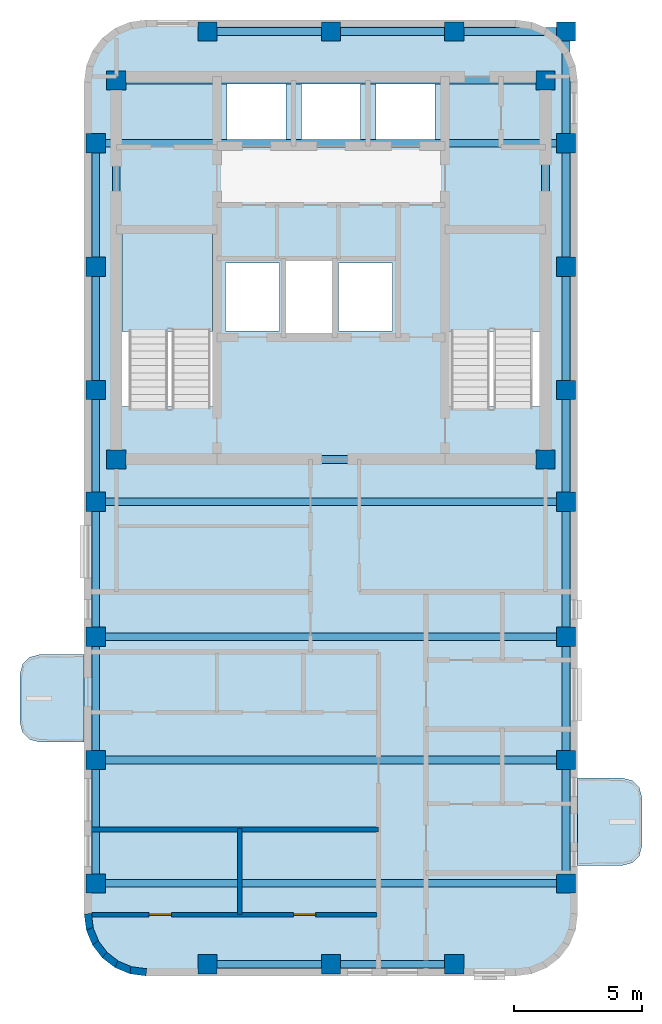
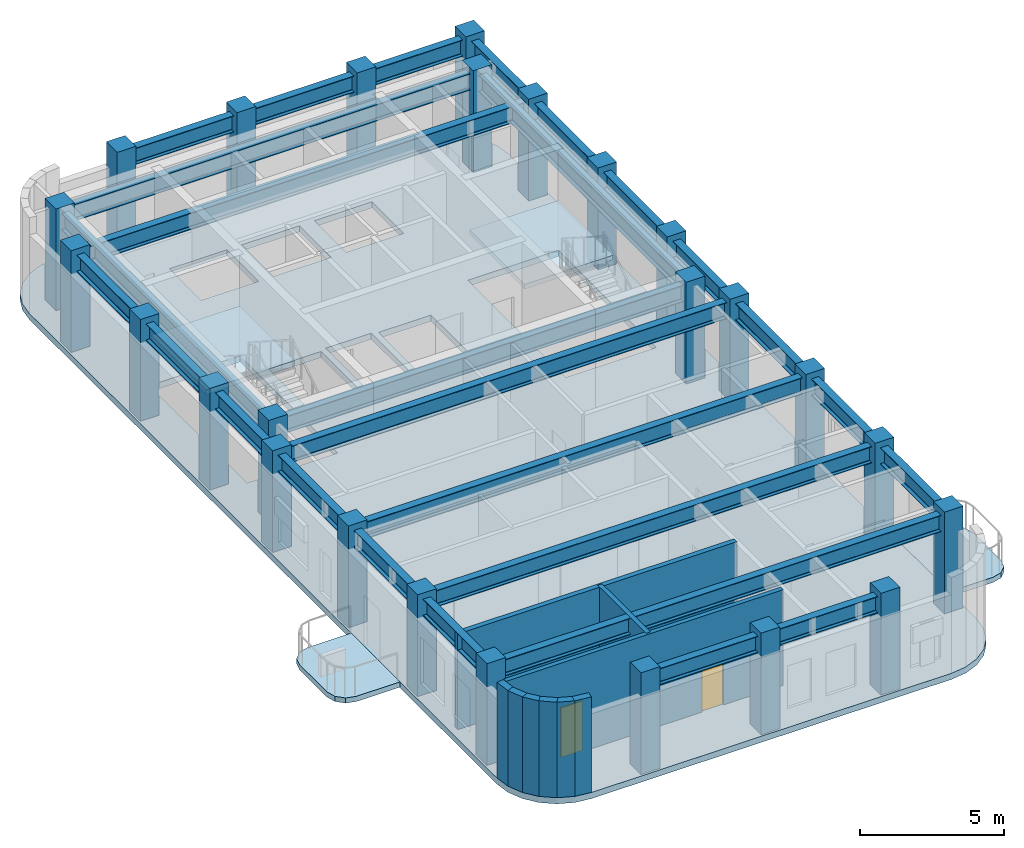
# One storey, part 1 of 7: 27 beams, 25 columns, 9 walls, 5 slabs, 2 doors, 2 openings, 2 elements without a shape of their own.
"""IFC4 building model written with IfcOpenShell, lengths in metres."""

from ifc_helpers import new_model, si_unit, direction, frame, frame_2d, origin, origin_2d, place, context, subcontext, project, spatial, polyline, rectangle, i_section, outline, extrude, material, layer, layer_set, material_profile, profile_set, type_object, element, fill, aggregate, save


model = new_model("IFC4")

# Units and contexts
model_context = context("Model", 3, precision=1e-05, world=origin(), true_north=direction((0.0, 1.0)))
body_context = subcontext(model_context, "Body", "Model", "MODEL_VIEW")
ifc_project = project(units=[si_unit("LENGTHUNIT", "METRE"), si_unit("AREAUNIT", "SQUARE_METRE"), si_unit("VOLUMEUNIT", "CUBIC_METRE"), si_unit("PLANEANGLEUNIT", "RADIAN"), si_unit("MASSUNIT", "GRAM", prefix="KILO")], contexts=[model_context])

# Site, building, storey
site_placement = place(None, origin())
site = spatial("IfcSite", under=ifc_project, at=site_placement, CompositionType="ELEMENT")
building_placement = place(site_placement, origin())
building = spatial("IfcBuilding", under=site, at=building_placement, Name="Orvandelia Arch Residences", CompositionType="ELEMENT")
storey_placement = place(building_placement, frame((0.0, 0.0, 269.89990234375)))
storey = spatial("IfcBuildingStorey", under=building, at=storey_placement, Name="L70", CompositionType="ELEMENT", Elevation=269.89990234375)

# Columns
ifc_material_1 = material(Name="Concrete C50/60", Category="concrete")
ifc_material_profile_1 = material_profile(ifc_material_1, rectangle(XDim=0.75, YDim=0.75, at=origin_2d()), Name="Concrete C50/60", Category="concrete")
ifc_profile_set_1 = profile_set([ifc_material_profile_1], Name="Concrete C50/60")
column_type = type_object("IfcColumnType", Name="COL-TWR-750", PredefinedType="COLUMN", material=ifc_profile_set_1)
for number, where, z_axis, x_axis, name in (
    (1, (5.25, 14.39990234375, 0.0), (0.0, 0.0, 1.0), (1.0, 0.0, 0.0), "Structural Column L70-W-W-144"),
    (2, (5.25, 19.199951171875, 0.0), (0.0, 0.0, 1.0), (1.0, 0.0, 0.0), "Structural Column L70-W-W-192"),
    (3, (5.25, 24.0, 0.0), (0.0, 0.0, 1.0), (1.0, 0.0, 0.0), "Structural Column L70-W-W-240"),
    (4, (5.25, 29.25, 0.0), (0.0, 0.0, 1.0), (1.0, 0.0, 0.0), "Structural Column L70-W-W-292"),
    (5, (5.25, 33.60009765625, 0.0), (0.0, 0.0, 1.0), (1.0, 0.0, 0.0), "Structural Column L70-W-W-336"),
    (6, (5.25, 38.39990234375, 0.0), (0.0, 0.0, 1.0), (1.0, 0.0, 0.0), "Structural Column L70-W-W-384"),
    (7, (5.25, 43.199951171875, 0.0), (0.0, 0.0, 1.0), (1.0, 0.0, 0.0), "Structural Column L70-W-W-432"),
    (8, (6.050048828125, 30.89990234375, 0.0), (0.0, 0.0, 1.0), (1.0, 0.0, 0.0), "Structural Column L70-CR-SW"),
    (9, (6.050048828125, 45.64990234375, 0.0), (0.0, 0.0, 1.0), (1.0, 0.0, 0.0), "Structural Column L70-CR-NW"),
    (10, (9.60009765625, 11.25, 0.0), (0.0, 0.0, 1.0), (1.0, 0.0, 0.0), "Structural Column L70-W-S-96"),
    (11, (9.60009765625, 47.550048828125, 0.0), (0.0, 0.0, 1.0), (1.0, 0.0, 0.0), "Structural Column L70-W-N-96"),
    (12, (14.39990234375, 11.25, 0.0), (0.0, 0.0, 1.0), (1.0, 0.0, 0.0), "Structural Column L70-W-S-144"),
    (13, (14.39990234375, 47.550048828125, 0.0), (0.0, 0.0, 1.0), (1.0, 0.0, 0.0), "Structural Column L70-W-N-144"),
    (14, (19.199951171875, 11.25, 0.0), (0.0, 0.0, 1.0), (1.0, 0.0, 0.0), "Structural Column L70-W-S-192"),
    (15, (19.199951171875, 47.550048828125, 0.0), (0.0, 0.0, 1.0), (1.0, 0.0, 0.0), "Structural Column L70-W-N-192"),
    (16, (22.75, 30.89990234375, 0.0), (0.0, 0.0, 1.0), (1.0, 0.0, 0.0), "Structural Column L70-CR-SE"),
    (17, (22.75, 45.64990234375, 0.0), (0.0, 0.0, 1.0), (1.0, 0.0, 0.0), "Structural Column L70-CR-NE"),
    (18, (23.550048828125, 14.39990234375, 0.0), (0.0, 0.0, 1.0), (1.0, 0.0, 0.0), "Structural Column L70-W-E-144"),
    (19, (23.550048828125, 19.199951171875, 0.0), (0.0, 0.0, 1.0), (1.0, 0.0, 0.0), "Structural Column L70-W-E-192"),
    (20, (23.550048828125, 24.0, 0.0), (0.0, 0.0, 1.0), (1.0, 0.0, 0.0), "Structural Column L70-W-E-240"),
    (21, (23.550048828125, 29.25, 0.0), (0.0, 0.0, 1.0), (1.0, 0.0, 0.0), "Structural Column L70-W-E-292"),
    (22, (23.550048828125, 33.60009765625, 0.0), (0.0, 0.0, 1.0), (1.0, 0.0, 0.0), "Structural Column L70-W-E-336"),
    (23, (23.550048828125, 38.39990234375, 0.0), (0.0, 0.0, 1.0), (1.0, 0.0, 0.0), "Structural Column L70-W-E-384"),
    (24, (23.550048828125, 43.199951171875, 0.0), (0.0, 0.0, 1.0), (1.0, 0.0, 0.0), "Structural Column L70-W-E-432"),
    (25, (23.550048828125, 47.550048828125, 0.0), (0.0, 0.0, 1.0), (1.0, 0.0, 0.0), "Structural Column L70-W-N-235"),
):
    element("IfcColumn", number, at=place(storey_placement, frame(where, z_axis=z_axis, x_axis=x_axis)), inside=storey, type_object=column_type, Name=name, PredefinedType="COLUMN", context=body_context, shape_type="SweptSolid", body=[
        extrude(rectangle(XDim=0.75, YDim=0.75, at=origin_2d()), origin(), (0.0, 0.0, 1.0), 4.300048828125),
    ])

# Beams
ifc_material_2 = material(Name="Structural Steel SM355 (355 MPa)", Category="steel")
ifc_material_profile_2 = material_profile(ifc_material_2, i_section(OverallWidth=0.300048828125, OverallDepth=0.699951171875, WebThickness=0.012939453125, FlangeThickness=0.02392578125, FilletRadius=0.02392578125, at=origin_2d()), Name="Structural Steel SM355 (355 MPa)", Category="steel")
ifc_profile_set_2 = profile_set([ifc_material_profile_2], Name="Structural Steel SM355 (355 MPa)")
beam_type = type_object("IfcBeamType", Name="BM-GRD-H700", PredefinedType="BEAM", material=ifc_profile_set_2)
for number, where, z_axis, x_axis, name in (
    (26, (5.25, 14.39990234375, 3.690185546875), (0.0, 1.0, 0.0), (-1.0, 0.0, 0.0), "Structural Frame Beam L70-NS-001"),
    (27, (5.25, 19.199951171875, 3.690185546875), (0.0, 1.0, 0.0), (-1.0, 0.0, 0.0), "Structural Frame Beam L70-NS-002"),
):
    element("IfcBeam", number, at=place(storey_placement, frame(where, z_axis=z_axis, x_axis=x_axis)), inside=storey, type_object=beam_type, Name=name, PredefinedType="BEAM", context=body_context, shape_type="SweptSolid", body=[
        extrude(i_section(OverallWidth=0.300048828125, OverallDepth=0.699951171875, WebThickness=0.012939453125, FlangeThickness=0.02392578125, FilletRadius=0.02392578125, at=origin_2d()), origin(), (0.0, 0.0, 1.0), 4.800048828125),
    ])
beam_1_placement = place(storey_placement, frame((5.25, 24.0, 3.690185546875), z_axis=(0.0, 1.0, 0.0), x_axis=(-1.0, 0.0, 0.0)))
element("IfcBeam", 28, at=beam_1_placement, inside=storey, type_object=beam_type, Name="Structural Frame Beam L70-NS-003", PredefinedType="BEAM", context=body_context, shape_type="SweptSolid", body=[
    extrude(i_section(OverallWidth=0.300048828125, OverallDepth=0.699951171875, WebThickness=0.012939453125, FlangeThickness=0.02392578125, FilletRadius=0.02392578125, at=origin_2d()), origin(), (0.0, 0.0, 1.0), 5.25),
])
beam_2_placement = place(storey_placement, frame((5.25, 29.25, 3.690185546875), z_axis=(0.0, 1.0, 0.0), x_axis=(-1.0, 0.0, 0.0)))
element("IfcBeam", 29, at=beam_2_placement, inside=storey, type_object=beam_type, Name="Structural Frame Beam L70-NS-004", PredefinedType="BEAM", context=body_context, shape_type="SweptSolid", body=[
    extrude(i_section(OverallWidth=0.300048828125, OverallDepth=0.699951171875, WebThickness=0.012939453125, FlangeThickness=0.02392578125, FilletRadius=0.02392578125, at=origin_2d()), origin(), (0.0, 0.0, 1.0), 4.35009765625),
])
beam_3_placement = place(storey_placement, frame((5.25, 33.60009765625, 3.690185546875), z_axis=(0.0, 1.0, 0.0), x_axis=(-1.0, 0.0, 0.0)))
element("IfcBeam", 30, at=beam_3_placement, inside=storey, type_object=beam_type, Name="Structural Frame Beam L70-NS-005", PredefinedType="BEAM", context=body_context, shape_type="SweptSolid", body=[
    extrude(i_section(OverallWidth=0.300048828125, OverallDepth=0.699951171875, WebThickness=0.012939453125, FlangeThickness=0.02392578125, FilletRadius=0.02392578125, at=origin_2d()), origin(), (0.0, 0.0, 1.0), 4.7998046875),
])
beam_4_placement = place(storey_placement, frame((5.25, 38.39990234375, 3.690185546875), z_axis=(0.0, 1.0, 0.0), x_axis=(-1.0, 0.0, 0.0)))
element("IfcBeam", 31, at=beam_4_placement, inside=storey, type_object=beam_type, Name="Structural Frame Beam L70-NS-006", PredefinedType="BEAM", context=body_context, shape_type="SweptSolid", body=[
    extrude(i_section(OverallWidth=0.300048828125, OverallDepth=0.699951171875, WebThickness=0.012939453125, FlangeThickness=0.02392578125, FilletRadius=0.02392578125, at=origin_2d()), origin(), (0.0, 0.0, 1.0), 4.800048828125),
])
for number, where, z_axis, x_axis, name in (
    (32, (6.050048828125, 30.89990234375, 3.690185546875), (0.0, 1.0, 0.0), (-1.0, 0.0, 0.0), "Structural Frame Beam L70-NS-007"),
    (33, (22.75, 30.89990234375, 3.690185546875), (0.0, 1.0, 0.0), (-1.0, 0.0, 0.0), "Structural Frame Beam L70-NS-008"),
):
    element("IfcBeam", number, at=place(storey_placement, frame(where, z_axis=z_axis, x_axis=x_axis)), inside=storey, type_object=beam_type, Name=name, PredefinedType="BEAM", context=body_context, shape_type="SweptSolid", body=[
        extrude(i_section(OverallWidth=0.300048828125, OverallDepth=0.699951171875, WebThickness=0.012939453125, FlangeThickness=0.02392578125, FilletRadius=0.02392578125, at=origin_2d()), origin(), (0.0, 0.0, 1.0), 14.75),
    ])
for number, where, z_axis, x_axis, name in (
    (34, (23.550048828125, 14.39990234375, 3.690185546875), (0.0, 1.0, 0.0), (-1.0, 0.0, 0.0), "Structural Frame Beam L70-NS-009"),
    (35, (23.550048828125, 19.199951171875, 3.690185546875), (0.0, 1.0, 0.0), (-1.0, 0.0, 0.0), "Structural Frame Beam L70-NS-010"),
):
    element("IfcBeam", number, at=place(storey_placement, frame(where, z_axis=z_axis, x_axis=x_axis)), inside=storey, type_object=beam_type, Name=name, PredefinedType="BEAM", context=body_context, shape_type="SweptSolid", body=[
        extrude(i_section(OverallWidth=0.300048828125, OverallDepth=0.699951171875, WebThickness=0.012939453125, FlangeThickness=0.02392578125, FilletRadius=0.02392578125, at=origin_2d()), origin(), (0.0, 0.0, 1.0), 4.800048828125),
    ])
beam_5_placement = place(storey_placement, frame((23.550048828125, 24.0, 3.690185546875), z_axis=(0.0, 1.0, 0.0), x_axis=(-1.0, 0.0, 0.0)))
element("IfcBeam", 36, at=beam_5_placement, inside=storey, type_object=beam_type, Name="Structural Frame Beam L70-NS-011", PredefinedType="BEAM", context=body_context, shape_type="SweptSolid", body=[
    extrude(i_section(OverallWidth=0.300048828125, OverallDepth=0.699951171875, WebThickness=0.012939453125, FlangeThickness=0.02392578125, FilletRadius=0.02392578125, at=origin_2d()), origin(), (0.0, 0.0, 1.0), 5.25),
])
beam_6_placement = place(storey_placement, frame((23.550048828125, 29.25, 3.690185546875), z_axis=(0.0, 1.0, 0.0), x_axis=(-1.0, 0.0, 0.0)))
element("IfcBeam", 37, at=beam_6_placement, inside=storey, type_object=beam_type, Name="Structural Frame Beam L70-NS-012", PredefinedType="BEAM", context=body_context, shape_type="SweptSolid", body=[
    extrude(i_section(OverallWidth=0.300048828125, OverallDepth=0.699951171875, WebThickness=0.012939453125, FlangeThickness=0.02392578125, FilletRadius=0.02392578125, at=origin_2d()), origin(), (0.0, 0.0, 1.0), 4.35009765625),
])
beam_7_placement = place(storey_placement, frame((23.550048828125, 33.60009765625, 3.690185546875), z_axis=(0.0, 1.0, 0.0), x_axis=(-1.0, 0.0, 0.0)))
element("IfcBeam", 38, at=beam_7_placement, inside=storey, type_object=beam_type, Name="Structural Frame Beam L70-NS-013", PredefinedType="BEAM", context=body_context, shape_type="SweptSolid", body=[
    extrude(i_section(OverallWidth=0.300048828125, OverallDepth=0.699951171875, WebThickness=0.012939453125, FlangeThickness=0.02392578125, FilletRadius=0.02392578125, at=origin_2d()), origin(), (0.0, 0.0, 1.0), 4.7998046875),
])
beam_8_placement = place(storey_placement, frame((23.550048828125, 38.39990234375, 3.690185546875), z_axis=(0.0, 1.0, 0.0), x_axis=(-1.0, 0.0, 0.0)))
element("IfcBeam", 39, at=beam_8_placement, inside=storey, type_object=beam_type, Name="Structural Frame Beam L70-NS-014", PredefinedType="BEAM", context=body_context, shape_type="SweptSolid", body=[
    extrude(i_section(OverallWidth=0.300048828125, OverallDepth=0.699951171875, WebThickness=0.012939453125, FlangeThickness=0.02392578125, FilletRadius=0.02392578125, at=origin_2d()), origin(), (0.0, 0.0, 1.0), 4.800048828125),
])
beam_9_placement = place(storey_placement, frame((23.550048828125, 43.199951171875, 3.690185546875), z_axis=(0.0, 1.0, 0.0), x_axis=(-1.0, 0.0, 0.0)))
element("IfcBeam", 40, at=beam_9_placement, inside=storey, type_object=beam_type, Name="Structural Frame Beam L70-NS-015", PredefinedType="BEAM", context=body_context, shape_type="SweptSolid", body=[
    extrude(i_section(OverallWidth=0.300048828125, OverallDepth=0.699951171875, WebThickness=0.012939453125, FlangeThickness=0.02392578125, FilletRadius=0.02392578125, at=origin_2d()), origin(), (0.0, 0.0, 1.0), 4.35009765625),
])
beam_10_placement = place(storey_placement, frame((9.60009765625, 11.25, 3.690185546875), z_axis=(1.0, 0.0, 0.0), x_axis=(0.0, 1.0, 0.0)))
element("IfcBeam", 41, at=beam_10_placement, inside=storey, type_object=beam_type, Name="Structural Frame Girder L70-EW-016", PredefinedType="BEAM", context=body_context, shape_type="SweptSolid", body=[
    extrude(i_section(OverallWidth=0.300048828125, OverallDepth=0.699951171875, WebThickness=0.012939453125, FlangeThickness=0.02392578125, FilletRadius=0.02392578125, at=origin_2d()), origin(), (0.0, 0.0, 1.0), 4.7998046875),
])
beam_11_placement = place(storey_placement, frame((14.39990234375, 11.25, 3.690185546875), z_axis=(1.0, 0.0, 0.0), x_axis=(0.0, 1.0, 0.0)))
element("IfcBeam", 42, at=beam_11_placement, inside=storey, type_object=beam_type, Name="Structural Frame Girder L70-EW-017", PredefinedType="BEAM", context=body_context, shape_type="SweptSolid", body=[
    extrude(i_section(OverallWidth=0.300048828125, OverallDepth=0.699951171875, WebThickness=0.012939453125, FlangeThickness=0.02392578125, FilletRadius=0.02392578125, at=origin_2d()), origin(), (0.0, 0.0, 1.0), 4.800048828125),
])
for number, where, z_axis, x_axis, name in (
    (43, (5.25, 14.39990234375, 3.690185546875), (1.0, 0.0, 0.0), (0.0, 1.0, 0.0), "Structural Frame Girder L70-EW-018"),
    (44, (5.25, 19.199951171875, 3.690185546875), (1.0, 0.0, 0.0), (0.0, 1.0, 0.0), "Structural Frame Girder L70-EW-019"),
    (45, (5.25, 24.0, 3.690185546875), (1.0, 0.0, 0.0), (0.0, 1.0, 0.0), "Structural Frame Girder L70-EW-020"),
    (46, (5.25, 29.25, 3.690185546875), (1.0, 0.0, 0.0), (0.0, 1.0, 0.0), "Structural Frame Girder L70-EW-021"),
):
    element("IfcBeam", number, at=place(storey_placement, frame(where, z_axis=z_axis, x_axis=x_axis)), inside=storey, type_object=beam_type, Name=name, PredefinedType="BEAM", context=body_context, shape_type="SweptSolid", body=[
        extrude(i_section(OverallWidth=0.300048828125, OverallDepth=0.699951171875, WebThickness=0.012939453125, FlangeThickness=0.02392578125, FilletRadius=0.02392578125, at=origin_2d()), origin(), (0.0, 0.0, 1.0), 18.300048828125),
    ])
beam_12_placement = place(storey_placement, frame((6.050048828125, 30.89990234375, 3.690185546875), z_axis=(1.0, 0.0, 0.0), x_axis=(0.0, 1.0, 0.0)))
element("IfcBeam", 47, at=beam_12_placement, inside=storey, type_object=beam_type, Name="Structural Frame Girder L70-EW-022", PredefinedType="BEAM", context=body_context, shape_type="SweptSolid", body=[
    extrude(i_section(OverallWidth=0.300048828125, OverallDepth=0.699951171875, WebThickness=0.012939453125, FlangeThickness=0.02392578125, FilletRadius=0.02392578125, at=origin_2d()), origin(), (0.0, 0.0, 1.0), 16.699951171875),
])
beam_13_placement = place(storey_placement, frame((5.25, 43.199951171875, 3.690185546875), z_axis=(1.0, 0.0, 0.0), x_axis=(0.0, 1.0, 0.0)))
element("IfcBeam", 48, at=beam_13_placement, inside=storey, type_object=beam_type, Name="Structural Frame Girder L70-EW-025", PredefinedType="BEAM", context=body_context, shape_type="SweptSolid", body=[
    extrude(i_section(OverallWidth=0.300048828125, OverallDepth=0.699951171875, WebThickness=0.012939453125, FlangeThickness=0.02392578125, FilletRadius=0.02392578125, at=origin_2d()), origin(), (0.0, 0.0, 1.0), 18.300048828125),
])
beam_14_placement = place(storey_placement, frame((6.050048828125, 45.64990234375, 3.690185546875), z_axis=(1.0, 0.0, 0.0), x_axis=(0.0, 1.0, 0.0)))
element("IfcBeam", 49, at=beam_14_placement, inside=storey, type_object=beam_type, Name="Structural Frame Girder L70-EW-026", PredefinedType="BEAM", context=body_context, shape_type="SweptSolid", body=[
    extrude(i_section(OverallWidth=0.300048828125, OverallDepth=0.699951171875, WebThickness=0.012939453125, FlangeThickness=0.02392578125, FilletRadius=0.02392578125, at=origin_2d()), origin(), (0.0, 0.0, 1.0), 16.699951171875),
])
beam_15_placement = place(storey_placement, frame((9.60009765625, 47.550048828125, 3.690185546875), z_axis=(1.0, 0.0, 0.0), x_axis=(0.0, 1.0, 0.0)))
element("IfcBeam", 50, at=beam_15_placement, inside=storey, type_object=beam_type, Name="Structural Frame Girder L70-EW-027", PredefinedType="BEAM", context=body_context, shape_type="SweptSolid", body=[
    extrude(i_section(OverallWidth=0.300048828125, OverallDepth=0.699951171875, WebThickness=0.012939453125, FlangeThickness=0.02392578125, FilletRadius=0.02392578125, at=origin_2d()), origin(), (0.0, 0.0, 1.0), 4.7998046875),
])
beam_16_placement = place(storey_placement, frame((14.39990234375, 47.550048828125, 3.690185546875), z_axis=(1.0, 0.0, 0.0), x_axis=(0.0, 1.0, 0.0)))
element("IfcBeam", 51, at=beam_16_placement, inside=storey, type_object=beam_type, Name="Structural Frame Girder L70-EW-028", PredefinedType="BEAM", context=body_context, shape_type="SweptSolid", body=[
    extrude(i_section(OverallWidth=0.300048828125, OverallDepth=0.699951171875, WebThickness=0.012939453125, FlangeThickness=0.02392578125, FilletRadius=0.02392578125, at=origin_2d()), origin(), (0.0, 0.0, 1.0), 4.800048828125),
])
beam_17_placement = place(storey_placement, frame((19.199951171875, 47.550048828125, 3.690185546875), z_axis=(1.0, 0.0, 0.0), x_axis=(0.0, 1.0, 0.0)))
element("IfcBeam", 52, at=beam_17_placement, inside=storey, type_object=beam_type, Name="Structural Frame Girder L70-EW-029", PredefinedType="BEAM", context=body_context, shape_type="SweptSolid", body=[
    extrude(i_section(OverallWidth=0.300048828125, OverallDepth=0.699951171875, WebThickness=0.012939453125, FlangeThickness=0.02392578125, FilletRadius=0.02392578125, at=origin_2d()), origin(), (0.0, 0.0, 1.0), 4.35009765625),
])

# Slabs
ifc_material_3 = material(Name="Precast concrete C40/50", Category="concrete")
ifc_layer_1 = layer(ifc_material_3, 0.219970703125, Name="Precast concrete C40/50", Category="concrete")
ifc_layer_set_1 = layer_set([ifc_layer_1], Name="Precast concrete C40/50")
slab_type_1 = type_object("IfcSlabType", Name="SLB-BAL-220", PredefinedType="USERDEFINED", material=ifc_layer_set_1)
slab_1_placement = place(storey_placement, frame((0.0, 0.0, -0.219970703125)))
element("IfcSlab", 53, at=slab_1_placement, inside=storey, type_object=slab_type_1, Name="Tree Balcony Cantilever Slab BAL-L70-W1", ObjectType="BALCONY", PredefinedType="USERDEFINED", context=body_context, shape_type="SweptSolid", body=[
    extrude(outline(polyline([(4.800048828125, 19.89990234375), (4.800048828125, 23.300048828125), (3.050048828125, 23.300048828125), (2.675048828125, 23.199462890625), (2.400390625, 22.925048828125), (2.300048828125, 22.550048828125), (2.300048828125, 20.64990234375), (2.400390625, 20.27490234375), (2.675048828125, 20.00048828125), (3.050048828125, 19.89990234375), (4.800048828125, 19.89990234375)])), origin(), (0.0, 0.0, 1.0), 0.219970703125),
])
slab_2_placement = place(storey_placement, frame((0.0, 0.0, -0.219970703125)))
element("IfcSlab", 54, at=slab_2_placement, inside=storey, type_object=slab_type_1, Name="Tree Balcony Cantilever Slab BAL-L70-W2", ObjectType="BALCONY", PredefinedType="USERDEFINED", context=body_context, shape_type="SweptSolid", body=[
    extrude(outline(polyline([(24.0, 18.5), (24.0, 15.10009765625), (25.75, 15.10009765625), (26.125, 15.200439453125), (26.3994140625, 15.47509765625), (26.5, 15.85009765625), (26.5, 17.75), (26.3994140625, 18.125), (26.125, 18.3994140625), (25.75, 18.5), (24.0, 18.5)])), origin(), (0.0, 0.0, 1.0), 0.219970703125),
])

# Stair, slab
ifc_material_4 = material(Name="Concrete C40/50", Category="concrete")
stair_type = type_object("IfcStairType", Name="STAIR-RC-DOGLEG", PredefinedType="HALF_TURN_STAIR", material=ifc_material_4)
stair_1_placement = place(storey_placement, origin())
stair_1 = element("IfcStair", 55, at=stair_1_placement, inside=storey, type_object=stair_type, Name="L70 Protected Exit Stair ST-1", PredefinedType="HALF_TURN_STAIR")
ifc_layer_2 = layer(ifc_material_4, 0.219970703125, Name="Concrete C40/50", Category="concrete")
ifc_layer_set_2 = layer_set([ifc_layer_2], Name="Concrete C40/50")
slab_type_2 = type_object("IfcSlabType", Name="SLB-LANDING-220", PredefinedType="LANDING", material=ifc_layer_set_2)
slab_3_placement = place(storey_placement, frame((0.0, 0.0, 1.9501953125)))
slab_3 = element("IfcSlab", 56, at=slab_3_placement, type_object=slab_type_2, Name="ST-1 landing 1", PredefinedType="LANDING", context=body_context, shape_type="SweptSolid", body=[
    extrude(outline(polyline([(9.800048828125, 35.8701171875), (9.800048828125, 39.68994140625), (6.260009765625, 39.68994140625), (6.260009765625, 35.8701171875), (9.800048828125, 35.8701171875)])), origin(), (0.0, 0.0, 1.0), 0.199951171875),
])
aggregate(stair_1, [slab_3])

stair_2_placement = place(storey_placement, origin())
stair_2 = element("IfcStair", 57, at=stair_2_placement, inside=storey, type_object=stair_type, Name="L70 Protected Exit Stair ST-2", PredefinedType="HALF_TURN_STAIR")
slab_4_placement = place(storey_placement, frame((0.0, 0.0, 1.9501953125)))
slab_4 = element("IfcSlab", 58, at=slab_4_placement, type_object=slab_type_2, Name="ST-2 landing 1", PredefinedType="LANDING", context=body_context, shape_type="SweptSolid", body=[
    extrude(outline(polyline([(22.5400390625, 35.8701171875), (22.5400390625, 39.68994140625), (19.0, 39.68994140625), (19.0, 35.8701171875), (22.5400390625, 35.8701171875)])), origin(), (0.0, 0.0, 1.0), 0.199951171875),
])
aggregate(stair_2, [slab_4])

# Slab
ifc_layer_3 = layer(ifc_material_4, 0.260009765625, Name="Concrete C40/50", Category="concrete")
ifc_layer_set_3 = layer_set([ifc_layer_3], Name="Concrete C40/50")
slab_type_3 = type_object("IfcSlabType", Name="SLB-TWR-260", PredefinedType="FLOOR", material=ifc_layer_set_3)
slab_5_placement = place(storey_placement, frame((0.0, 0.0, -0.260009765625)))
element("IfcSlab", 59, at=slab_5_placement, inside=storey, type_object=slab_type_3, Name="Structural Floor Slab L70-1", PredefinedType="FLOOR", context=body_context, shape_type="SweptSolid", body=[
    extrude(outline(polyline([(4.800048828125, 13.199951171875), (4.8818359375, 12.578857421875), (5.12158203125, 12.0), (5.5029296875, 11.5029296875), (6.0, 11.12158203125), (6.578857421875, 10.8818359375), (7.199951171875, 10.800048828125), (21.60009765625, 10.800048828125), (22.22119140625, 10.8818359375), (22.800048828125, 11.12158203125), (23.297119140625, 11.5029296875), (23.678466796875, 12.0), (23.918212890625, 12.578857421875), (24.0, 13.199951171875), (24.0, 45.60009765625), (23.918212890625, 46.22119140625), (23.678466796875, 46.800048828125), (23.297119140625, 47.297119140625), (22.800048828125, 47.678466796875), (22.22119140625, 47.918212890625), (21.60009765625, 48.0), (7.199951171875, 48.0), (6.578857421875, 47.918212890625), (6.0, 47.678466796875), (5.5029296875, 47.297119140625), (5.12158203125, 46.800048828125), (4.8818359375, 46.22119140625), (4.800048828125, 45.60009765625), (4.800048828125, 13.199951171875)]), holes=[polyline([(6.219970703125, 32.949951171875), (9.840087890625, 32.949951171875), (9.840087890625, 39.72998046875), (6.219970703125, 39.72998046875), (6.219970703125, 32.949951171875)]), polyline([(18.9599609375, 32.949951171875), (22.580078125, 32.949951171875), (22.580078125, 39.72998046875), (18.9599609375, 39.72998046875), (18.9599609375, 32.949951171875)]), polyline([(12.639892578125, 35.81005859375), (14.4599609375, 35.81005859375), (14.4599609375, 38.639892578125), (12.639892578125, 38.639892578125), (12.639892578125, 35.81005859375)]), polyline([(10.300048828125, 35.89990234375), (12.39990234375, 35.89990234375), (12.39990234375, 38.550048828125), (10.300048828125, 38.550048828125), (10.300048828125, 35.89990234375)]), polyline([(14.699951171875, 35.89990234375), (16.800048828125, 35.89990234375), (16.800048828125, 38.550048828125), (14.699951171875, 38.550048828125), (14.699951171875, 35.89990234375)]), polyline([(10.35009765625, 43.300048828125), (12.64990234375, 43.300048828125), (12.64990234375, 45.5), (10.35009765625, 45.5), (10.35009765625, 43.300048828125)]), polyline([(13.25, 43.300048828125), (15.550048828125, 43.300048828125), (15.550048828125, 45.5), (13.25, 45.5), (13.25, 43.300048828125)]), polyline([(16.14990234375, 43.300048828125), (18.449951171875, 43.300048828125), (18.449951171875, 45.5), (16.14990234375, 45.5), (16.14990234375, 43.300048828125)])]), origin(), (0.0, 0.0, 1.0), 0.260009765625),
])

# Walls
ifc_layer_4 = layer(ifc_material_4, 0.199951171875, Name="Concrete C40/50", Category="concrete")
ifc_layer_set_4 = layer_set([ifc_layer_4], Name="Concrete C40/50")
wall_type_1 = type_object("IfcWallType", Name="WL-DEM-200", PredefinedType="SOLIDWALL", material=ifc_layer_set_4)
wall_1_placement = place(storey_placement, frame((5.080078125, 16.5, 0.0), z_axis=(0.0, 0.0, 1.0), x_axis=(1.0, 0.0, 0.0)))
element("IfcWall", 60, at=wall_1_placement, inside=storey, type_object=wall_type_1, Name="Interior Partition Wall WL-L70-DEM-WL-165", PredefinedType="SOLIDWALL", context=body_context, shape_type="SweptSolid", body=[
    extrude(rectangle(XDim=11.169921875, YDim=0.199951171875, at=frame_2d((5.5849609375, 0.0))), origin(), (0.0, 0.0, 1.0), 4.0400390625),
])
ifc_layer_5 = layer(ifc_material_3, 0.280029296875, Name="Precast concrete C40/50", Category="concrete")
ifc_layer_set_5 = layer_set([ifc_layer_5], Name="Precast concrete C40/50")
wall_type_2 = type_object("IfcWallType", Name="WL-EXT-STONE-280", PredefinedType="STANDARD", material=ifc_layer_set_5)
wall_2_placement = place(storey_placement, frame((7.21826171875, 10.938720703125, 0.0), z_axis=(0.0, 0.0, 1.0), x_axis=(-0.9914410257, 0.130555323746, 0.0)))
element("IfcWall", 61, at=wall_2_placement, inside=storey, type_object=wall_type_2, Name="Coral-Limestone Precast Facade Wall L70-022", PredefinedType="STANDARD", context=body_context, shape_type="SweptSolid", body=[
    extrude(rectangle(XDim=0.62646484375, YDim=0.280029296875, at=frame_2d((0.313232421875, 0.0))), origin(), (0.0, 0.0, 1.0), 4.0400390625),
])
wall_3_placement = place(storey_placement, frame((6.63232421875, 11.010986328125, 0.0), z_axis=(0.0, 0.0, 1.0), x_axis=(-0.923836271867, 0.382787856107, 0.0)))
element("IfcWall", 62, at=wall_3_placement, inside=storey, type_object=wall_type_2, Name="Coral-Limestone Precast Facade Wall L70-023", PredefinedType="STANDARD", context=body_context, shape_type="SweptSolid", body=[
    extrude(rectangle(XDim=0.626220703125, YDim=0.280029296875, at=frame_2d((0.31298828125, 0.0))), origin(), (0.0, 0.0, 1.0), 4.0400390625),
])
for number, where, z_axis, x_axis, name in (
    (63, (6.085205078125, 11.232666015625, 0.0), (0.0, 0.0, 1.0), (-0.793405610854, 0.608693302629, 0.0), "Coral-Limestone Precast Facade Wall L70-024"),
    (64, (5.614013671875, 11.588134765625, 0.0), (0.0, 0.0, 1.0), (-0.608693302629, 0.793405610854, 0.0), "Coral-Limestone Precast Facade Wall L70-025"),
):
    element("IfcWall", number, at=place(storey_placement, frame(where, z_axis=z_axis, x_axis=x_axis)), inside=storey, type_object=wall_type_2, Name=name, PredefinedType="STANDARD", context=body_context, shape_type="SweptSolid", body=[
        extrude(rectangle(XDim=0.62646484375, YDim=0.280029296875, at=frame_2d((0.313232421875, 0.0))), origin(), (0.0, 0.0, 1.0), 4.0400390625),
    ])
wall_4_placement = place(storey_placement, frame((5.250732421875, 12.0537109375, 0.0), z_axis=(0.0, 0.0, 1.0), x_axis=(-0.382787856107, 0.923836271867, 0.0)))
element("IfcWall", 65, at=wall_4_placement, inside=storey, type_object=wall_type_2, Name="Coral-Limestone Precast Facade Wall L70-026", PredefinedType="STANDARD", context=body_context, shape_type="SweptSolid", body=[
    extrude(rectangle(XDim=0.626220703125, YDim=0.280029296875, at=frame_2d((0.31298828125, 0.0))), origin(), (0.0, 0.0, 1.0), 4.0400390625),
])
wall_5_placement = place(storey_placement, frame((5.0205078125, 12.59716796875, 0.0), z_axis=(0.0, 0.0, 1.0), x_axis=(-0.130555323746, 0.9914410257, 0.0)))
element("IfcWall", 66, at=wall_5_placement, inside=storey, type_object=wall_type_2, Name="Coral-Limestone Precast Facade Wall L70-027", PredefinedType="STANDARD", context=body_context, shape_type="SweptSolid", body=[
    extrude(rectangle(XDim=0.62646484375, YDim=0.280029296875, at=frame_2d((0.313232421875, 0.0))), origin(), (0.0, 0.0, 1.0), 4.0400390625),
])

# Wall, openings, doors
ifc_material_5 = material(Name="Moisture-Resistant Plumbing Wall")
ifc_layer_6 = layer(ifc_material_5, 0.179931640625, Name="Moisture-Resistant Plumbing Wall")
ifc_layer_set_6 = layer_set([ifc_layer_6], Name="Moisture-Resistant Plumbing Wall")
wall_type_3 = type_object("IfcWallType", Name="WL-WET-180", PredefinedType="PLUMBINGWALL", material=ifc_layer_set_6)
wall_6_placement = place(storey_placement, frame((5.10009765625, 13.179931640625, 0.0), z_axis=(0.0, 0.0, 1.0), x_axis=(1.0, 0.0, 0.0)))
wall_6 = element("IfcWall", 67, at=wall_6_placement, inside=storey, type_object=wall_type_3, Name="Interior Partition Wall WL-L70-U01-HZ", PredefinedType="PLUMBINGWALL", context=body_context, shape_type="SweptSolid", body=[
    extrude(rectangle(XDim=11.08984375, YDim=0.179931640625, at=frame_2d((5.544921875, 0.0))), origin(), (0.0, 0.0, 1.0), 4.0400390625),
])
opening_1_placement = place(wall_6_placement, frame((2.22900390625, 0.0, 0.0)))
opening_1 = element("IfcOpeningElement", 68, at=opening_1_placement, cuts=wall_6, Name="Opening D4", PredefinedType="OPENING", context=body_context, shape_type="SweptSolid", body=[
    extrude(rectangle(XDim=0.860107421875, YDim=2.10009765625, at=frame_2d((0.43017578125, 1.050048828125))), frame((0.0, 0.10009765625, 0.0), z_axis=(0.0, -1.0, 0.0), x_axis=(1.0, 0.0, 0.0)), (0.0, 0.0, 1.0), 0.199951171875),
])
opening_2_placement = place(wall_6_placement, frame((7.843994140625, 0.0, 0.0)))
opening_2 = element("IfcOpeningElement", 69, at=opening_2_placement, cuts=wall_6, Name="Opening D4", PredefinedType="OPENING", context=body_context, shape_type="SweptSolid", body=[
    extrude(rectangle(XDim=0.860107421875, YDim=2.10009765625, at=frame_2d((0.43017578125, 1.050048828125))), frame((0.0, 0.10009765625, 0.0), z_axis=(0.0, -1.0, 0.0), x_axis=(1.0, 0.0, 0.0)), (0.0, 0.0, 1.0), 0.199951171875),
])
ifc_material_6 = material(Name="Moisture-Sealed Timber Bathroom Door", Category="wood")
door_type = type_object("IfcDoorType", Name="DR-WET-900", OperationType="NOTDEFINED", PredefinedType="DOOR", material=ifc_material_6)
door_1_placement = place(opening_1_placement, origin())
door_1 = element("IfcDoor", 70, at=door_1_placement, inside=storey, type_object=door_type, Name="DR-L70-U01-KIT", OperationType="SINGLE_SWING_LEFT", OverallHeight=2.10009765625, OverallWidth=0.860107421875, PredefinedType="DOOR", context=body_context, shape_type="SweptSolid", body=[
    extrude(rectangle(XDim=0.860107421875, YDim=2.10009765625, at=frame_2d((0.43017578125, 1.050048828125))), frame((0.0, 0.02490234375, 0.0), z_axis=(0.0, -1.0, 0.0), x_axis=(1.0, 0.0, 0.0)), (0.0, 0.0, 1.0), 0.050048828125),
])
fill(opening_1, door_1)
door_2_placement = place(opening_2_placement, origin())
door_2 = element("IfcDoor", 71, at=door_2_placement, inside=storey, type_object=door_type, Name="DR-L70-U01-BTH", OperationType="SINGLE_SWING_RIGHT", OverallHeight=2.10009765625, OverallWidth=0.860107421875, PredefinedType="DOOR", context=body_context, shape_type="SweptSolid", body=[
    extrude(rectangle(XDim=0.860107421875, YDim=2.10009765625, at=frame_2d((0.43017578125, 1.050048828125))), frame((0.0, 0.02490234375, 0.0), z_axis=(0.0, -1.0, 0.0), x_axis=(1.0, 0.0, 0.0)), (0.0, 0.0, 1.0), 0.050048828125),
])
fill(opening_2, door_2)

# Wall
wall_7_placement = place(storey_placement, frame((10.847900390625, 13.179931640625, 0.0), z_axis=(0.0, 0.0, 1.0), x_axis=(0.0, 1.0, 0.0)))
element("IfcWall", 72, at=wall_7_placement, inside=storey, type_object=wall_type_3, Name="Interior Partition Wall WL-L70-U01-V1", PredefinedType="PLUMBINGWALL", context=body_context, shape_type="SweptSolid", body=[
    extrude(rectangle(XDim=3.360107421875, YDim=0.179931640625, at=frame_2d((1.68017578125, 0.0))), origin(), (0.0, 0.0, 1.0), 4.0400390625),
])

save(model, "model.ifc")
